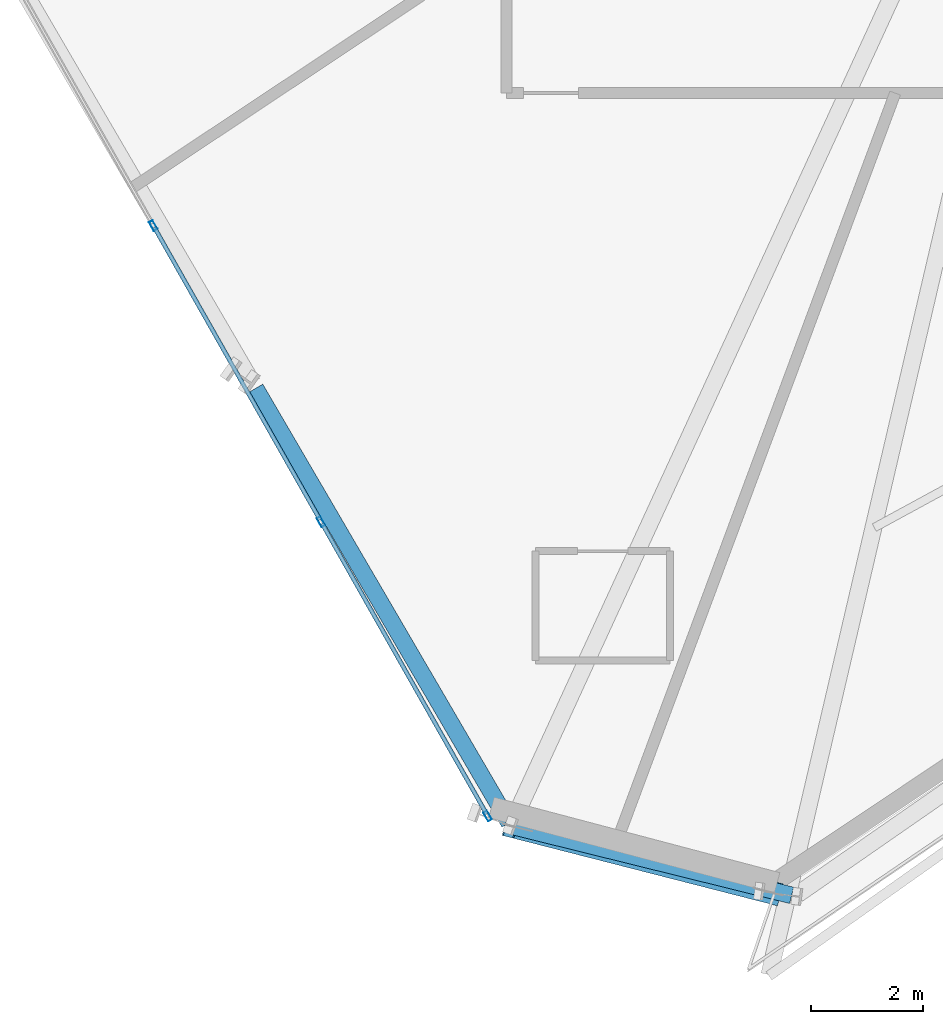
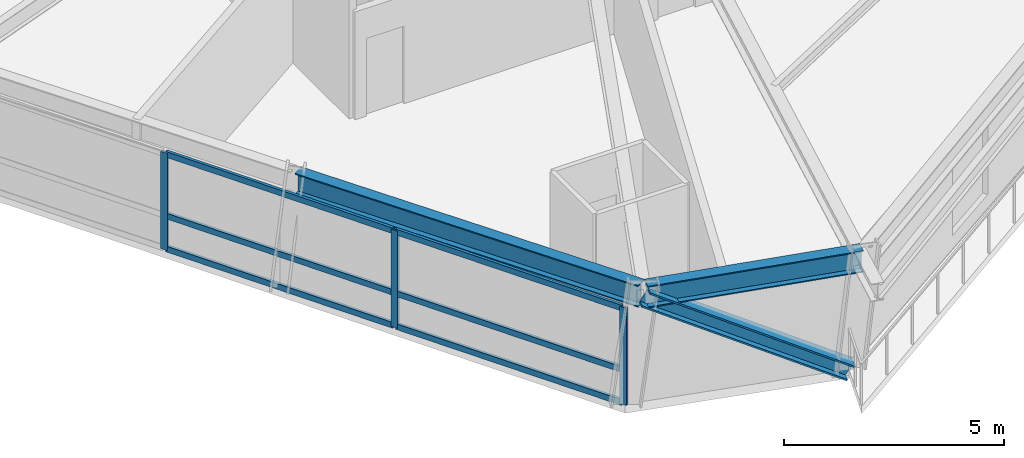
# One storey, part 2 of 18: 10 members, 2 beams, 1 element without a shape of its own.
"""IFC4 building model written with IfcOpenShell, lengths in metres."""

from ifc_helpers import new_model, si_unit, direction, frame, origin, origin_2d, place, context, subcontext, project, spatial, hollow_rectangle, i_section, extrude, source, transform, mapped, material, material_profile, profile_set, type_object, element, aggregate, save


model = new_model("IFC4")

# Units and contexts
model_context = context("Model", 3, precision=1e-05, world=origin(), true_north=direction((0.0, 1.0)))
body_context = subcontext(model_context, "Body", "Model", "MODEL_VIEW")
ifc_project = project(units=[si_unit("LENGTHUNIT", "METRE"), si_unit("AREAUNIT", "SQUARE_METRE"), si_unit("VOLUMEUNIT", "CUBIC_METRE"), si_unit("PLANEANGLEUNIT", "RADIAN"), si_unit("MASSUNIT", "GRAM", prefix="KILO")], contexts=[model_context])

# Site, building, storey
site_placement = place(None, origin())
site = spatial("IfcSite", under=ifc_project, at=site_placement, CompositionType="ELEMENT")
building_placement = place(site_placement, origin())
building = spatial("IfcBuilding", under=site, at=building_placement, Name="Olszyna Solenne Hotel", CompositionType="ELEMENT")
storey_placement = place(building_placement, frame((0.0, 0.0, 112.800048828125)))
storey = spatial("IfcBuildingStorey", under=building, at=storey_placement, Name="L29", CompositionType="ELEMENT", Elevation=112.800048828125)

# Beams
ifc_material_1 = material(Name="Steel S355J2", Category="steel")
ifc_material_profile_1 = material_profile(ifc_material_1, i_section(OverallWidth=0.300048828125, OverallDepth=0.60009765625, WebThickness=0.015380859375, FlangeThickness=0.030029296875, at=origin_2d()), Name="HEB 600", Category="load-bearing")
ifc_profile_set_1 = profile_set([ifc_material_profile_1], Name="Steel S355J2")
beam_type = type_object("IfcBeamType", Name="BM-S2", PredefinedType="BEAM", material=ifc_profile_set_1)
shared_shape_1 = source(origin(), body_context, "Body", "SweptSolid", [
    extrude(i_section(OverallWidth=0.300048828125, OverallDepth=0.60009765625, WebThickness=0.015380859375, FlangeThickness=0.030029296875, at=origin_2d()), origin(), (0.0, 0.0, 1.0), 8.960693359375),
])
beam_1_placement = place(storey_placement, frame((22.981689453125, 11.59130859375, 3.0), z_axis=(0.504157291075, -0.863611849071, 0.0), x_axis=(0.863611849071, 0.504157291075, 0.0)))
element("IfcBeam", 1, at=beam_1_placement, inside=storey, type_object=beam_type, Name="Perimeter spandrel beam BM-S2 B-L29-0875", PredefinedType="BEAM", context=body_context, shape_type="MappedRepresentation", body=[
    mapped(shared_shape_1, transform((0.0, 0.0, 0.0), x_axis=(1.0, 0.0, 0.0), y_axis=(0.0, 1.0, 0.0), z_axis=(0.0, 0.0, 1.0), scale=1.0)),
])
shared_shape_2 = source(origin(), body_context, "Body", "SweptSolid", [
    extrude(i_section(OverallWidth=0.300048828125, OverallDepth=0.60009765625, WebThickness=0.015380859375, FlangeThickness=0.030029296875, at=origin_2d()), origin(), (0.0, 0.0, 1.0), 5.091796875),
])
beam_2_placement = place(storey_placement, frame((27.587646484375, 3.78662109375, 3.0), z_axis=(0.970717946116, -0.240222124477, 0.0), x_axis=(0.240222124477, 0.970717946116, 0.0)))
element("IfcBeam", 2, at=beam_2_placement, inside=storey, type_object=beam_type, Name="Perimeter spandrel beam BM-S2 B-L29-0876", PredefinedType="BEAM", context=body_context, shape_type="MappedRepresentation", body=[
    mapped(shared_shape_2, transform((0.0, 0.0, 0.0), x_axis=(1.0, 0.0, 0.0), y_axis=(0.0, 1.0, 0.0), z_axis=(0.0, 0.0, 1.0), scale=1.0)),
])

# Member
ifc_material_2 = material(Name="Steel S460M", Category="steel")
ifc_material_profile_2 = material_profile(ifc_material_2, i_section(OverallWidth=0.406005859375, OverallDepth=0.416015625, WebThickness=0.026611328125, FlangeThickness=0.04150390625, at=origin_2d()), Name="HD 400x382", Category="load-bearing")
ifc_profile_set_2 = profile_set([ifc_material_profile_2], Name="Steel S460M")
member_type_1 = type_object("IfcMemberType", Name="BR-T2", PredefinedType="BRACE", material=ifc_profile_set_2)
shared_shape_3 = source(origin(), body_context, "Body", "SweptSolid", [
    extrude(i_section(OverallWidth=0.406005859375, OverallDepth=0.416015625, WebThickness=0.026611328125, FlangeThickness=0.04150390625, at=origin_2d()), origin(), (0.0, 0.0, 1.0), 5.677001953125),
])
member_1_placement = place(storey_placement, frame((32.222412109375, 2.599609375, 0.010009765625), z_axis=(-0.82666050953, 0.211589309483, 0.521404225239), x_axis=(-0.24796305715, -0.968769488727, 0.0)))
element("IfcMember", 3, at=member_1_placement, inside=storey, type_object=member_type_1, Name="Perimeter braced-tube diagonal BR-T2 BR-L29-3", PredefinedType="BRACE", context=body_context, shape_type="MappedRepresentation", body=[
    mapped(shared_shape_3, transform((0.0, 0.0, 0.0), x_axis=(1.0, 0.0, 0.0), y_axis=(0.0, 1.0, 0.0), z_axis=(0.0, 0.0, 1.0), scale=1.0)),
])

# Curtain wall, members
ifc_material_3 = material(Name="Anodised bronze aluminium", Category="aluminium")
curtain_wall_type = type_object("IfcCurtainWallType", Name="CW-SYS-3", PredefinedType="NOTDEFINED", material=ifc_material_3)
curtain_wall_placement = place(storey_placement, origin())
curtain_wall = element("IfcCurtainWall", 4, at=curtain_wall_placement, inside=storey, type_object=curtain_wall_type, Name="Unitised curtain wall CW-SYS-3 CW-L29-01", PredefinedType="NOTDEFINED")
ifc_material_profile_3 = material_profile(ifc_material_3, hollow_rectangle(XDim=0.074951171875, YDim=0.179931640625, WallThickness=0.00439453125, at=origin_2d()), Name="MULL 180x75x4.5", Category="load-bearing")
ifc_profile_set_3 = profile_set([ifc_material_profile_3], Name="Anodised bronze aluminium")
member_type_2 = type_object("IfcMemberType", Name="CW-M2", PredefinedType="MULLION", material=ifc_profile_set_3)
shared_shape_4 = source(origin(), body_context, "Body", "SweptSolid", [
    extrude(hollow_rectangle(XDim=0.074951171875, YDim=0.179931640625, WallThickness=0.00439453125, at=origin_2d()), origin(), (0.0, 0.0, 1.0), 2.69189453125),
])
member_2_placement = place(storey_placement, frame((21.1611328125, 14.490966796875, 0.0), z_axis=(0.0, 0.0, 1.0), x_axis=(0.870148373571, 0.492789821295, 0.0)))
member_2 = element("IfcMember", 5, at=member_2_placement, type_object=member_type_2, Name="Curtain-wall mullion CW-M2 CM-L29-01-02", PredefinedType="MULLION", context=body_context, shape_type="MappedRepresentation", body=[
    mapped(shared_shape_4, transform((0.0, 0.0, 0.0), x_axis=(1.0, 0.0, 0.0), y_axis=(0.0, 1.0, 0.0), z_axis=(0.0, 0.0, 1.0), scale=1.0)),
])
member_3_placement = place(storey_placement, frame((24.147705078125, 9.217529296875, 0.0), z_axis=(0.0, 0.0, 1.0), x_axis=(0.870148373571, 0.492789821295, 0.0)))
member_3 = element("IfcMember", 6, at=member_3_placement, type_object=member_type_2, Name="Curtain-wall mullion CW-M2 CM-L29-01-03", PredefinedType="MULLION", context=body_context, shape_type="MappedRepresentation", body=[
    mapped(shared_shape_4, transform((0.0, 0.0, 0.0), x_axis=(1.0, 0.0, 0.0), y_axis=(0.0, 1.0, 0.0), z_axis=(0.0, 0.0, 1.0), scale=1.0)),
])
member_4_placement = place(storey_placement, frame((27.11572265625, 3.9765625, 0.0), z_axis=(0.0, 0.0, 1.0), x_axis=(0.870148373571, 0.492789821295, 0.0)))
member_4 = element("IfcMember", 7, at=member_4_placement, type_object=member_type_2, Name="Curtain-wall mullion CW-M2 CM-L29-01-04", PredefinedType="MULLION", context=body_context, shape_type="MappedRepresentation", body=[
    mapped(shared_shape_4, transform((0.0, 0.0, 0.0), x_axis=(1.0, 0.0, 0.0), y_axis=(0.0, 1.0, 0.0), z_axis=(0.0, 0.0, 1.0), scale=1.0)),
])
ifc_material_profile_4 = material_profile(ifc_material_3, hollow_rectangle(XDim=0.074951171875, YDim=0.159912109375, WallThickness=0.00390625, at=origin_2d()), Name="TRAN 160x75x4", Category="load-bearing")
ifc_profile_set_4 = profile_set([ifc_material_profile_4], Name="Anodised bronze aluminium")
member_type_3 = type_object("IfcMemberType", Name="CW-T1", PredefinedType="USERDEFINED", material=ifc_profile_set_4)
shared_shape_5 = source(origin(), body_context, "Body", "SweptSolid", [
    extrude(hollow_rectangle(XDim=0.074951171875, YDim=0.159912109375, WallThickness=0.00390625, at=origin_2d()), origin(), (0.0, 0.0, 1.0), 5.947998046875),
])
member_5_placement = place(storey_placement, frame((24.166259765625, 9.184814453125, 0.037353515625), z_axis=(0.492802320252, -0.870141294937, 0.0), x_axis=(0.870141294937, 0.492802320252, 0.0)))
member_5 = element("IfcMember", 8, at=member_5_placement, type_object=member_type_3, Name="Curtain-wall transom CW-T1 CT-L29-01-07", ObjectType="TRANSOM", PredefinedType="USERDEFINED", context=body_context, shape_type="MappedRepresentation", body=[
    mapped(shared_shape_5, transform((0.0, 0.0, 0.0), x_axis=(1.0, 0.0, 0.0), y_axis=(0.0, 1.0, 0.0), z_axis=(0.0, 0.0, 1.0), scale=1.0)),
])
member_6_placement = place(storey_placement, frame((24.166259765625, 9.184814453125, 0.949951171875), z_axis=(0.492802320252, -0.870141294937, 0.0), x_axis=(0.870141294937, 0.492802320252, 0.0)))
member_6 = element("IfcMember", 9, at=member_6_placement, type_object=member_type_3, Name="Curtain-wall transom CW-T1 CT-L29-01-08", ObjectType="TRANSOM", PredefinedType="USERDEFINED", context=body_context, shape_type="MappedRepresentation", body=[
    mapped(shared_shape_5, transform((0.0, 0.0, 0.0), x_axis=(1.0, 0.0, 0.0), y_axis=(0.0, 1.0, 0.0), z_axis=(0.0, 0.0, 1.0), scale=1.0)),
])
member_7_placement = place(storey_placement, frame((24.166259765625, 9.184814453125, 2.654541015625), z_axis=(0.492802320252, -0.870141294937, 0.0), x_axis=(0.870141294937, 0.492802320252, 0.0)))
member_7 = element("IfcMember", 10, at=member_7_placement, type_object=member_type_3, Name="Curtain-wall transom CW-T1 CT-L29-01-09", ObjectType="TRANSOM", PredefinedType="USERDEFINED", context=body_context, shape_type="MappedRepresentation", body=[
    mapped(shared_shape_5, transform((0.0, 0.0, 0.0), x_axis=(1.0, 0.0, 0.0), y_axis=(0.0, 1.0, 0.0), z_axis=(0.0, 0.0, 1.0), scale=1.0)),
])
shared_shape_6 = source(origin(), body_context, "Body", "SweptSolid", [
    extrude(hollow_rectangle(XDim=0.074951171875, YDim=0.159912109375, WallThickness=0.00390625, at=origin_2d()), origin(), (0.0, 0.0, 1.0), 5.9853515625),
])
member_8_placement = place(storey_placement, frame((21.1796875, 14.458251953125, 0.037353515625), z_axis=(0.492823191022, -0.870129474498, 0.0), x_axis=(0.870129474498, 0.492823191022, 0.0)))
member_8 = element("IfcMember", 11, at=member_8_placement, type_object=member_type_3, Name="Curtain-wall transom CW-T1 CT-L29-01-04", ObjectType="TRANSOM", PredefinedType="USERDEFINED", context=body_context, shape_type="MappedRepresentation", body=[
    mapped(shared_shape_6, transform((0.0, 0.0, 0.0), x_axis=(1.0, 0.0, 0.0), y_axis=(0.0, 1.0, 0.0), z_axis=(0.0, 0.0, 1.0), scale=1.0)),
])
member_9_placement = place(storey_placement, frame((21.1796875, 14.458251953125, 0.949951171875), z_axis=(0.492823191022, -0.870129474498, 0.0), x_axis=(0.870129474498, 0.492823191022, 0.0)))
member_9 = element("IfcMember", 12, at=member_9_placement, type_object=member_type_3, Name="Curtain-wall transom CW-T1 CT-L29-01-05", ObjectType="TRANSOM", PredefinedType="USERDEFINED", context=body_context, shape_type="MappedRepresentation", body=[
    mapped(shared_shape_6, transform((0.0, 0.0, 0.0), x_axis=(1.0, 0.0, 0.0), y_axis=(0.0, 1.0, 0.0), z_axis=(0.0, 0.0, 1.0), scale=1.0)),
])
member_10_placement = place(storey_placement, frame((21.1796875, 14.458251953125, 2.654541015625), z_axis=(0.492823191022, -0.870129474498, 0.0), x_axis=(0.870129474498, 0.492823191022, 0.0)))
member_10 = element("IfcMember", 13, at=member_10_placement, type_object=member_type_3, Name="Curtain-wall transom CW-T1 CT-L29-01-06", ObjectType="TRANSOM", PredefinedType="USERDEFINED", context=body_context, shape_type="MappedRepresentation", body=[
    mapped(shared_shape_6, transform((0.0, 0.0, 0.0), x_axis=(1.0, 0.0, 0.0), y_axis=(0.0, 1.0, 0.0), z_axis=(0.0, 0.0, 1.0), scale=1.0)),
])
aggregate(curtain_wall, [member_2, member_3, member_4, member_8, member_9, member_10, member_5, member_6, member_7])

save(model, "model.ifc")
